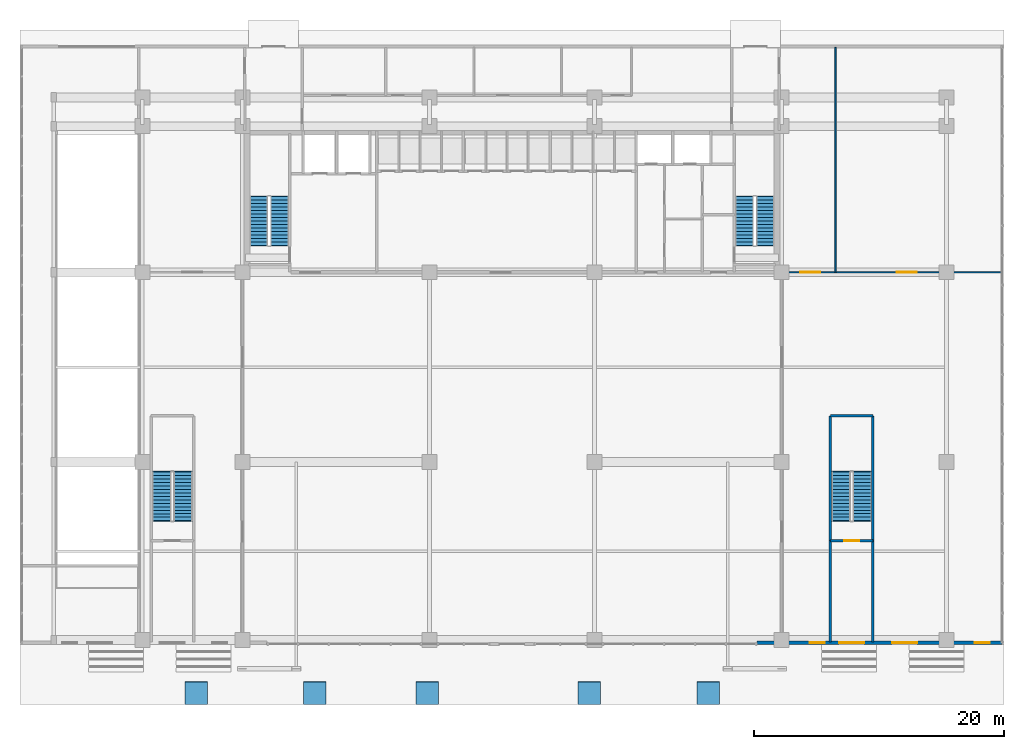
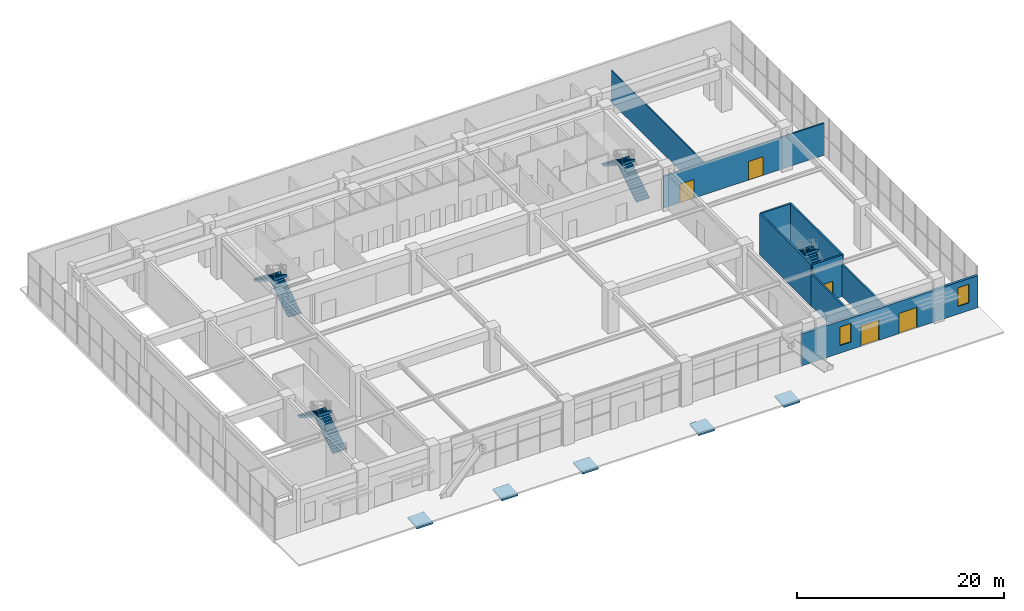
# One storey, part 36 of 40: 9 walls, 8 stair flights, 5 doors, 5 ramp flights, 2 windows, 7 openings, 9 elements without a shape of their own.
"""IFC4 building model written with IfcOpenShell, lengths in metres."""

from ifc_helpers import new_model, si_unit, direction, frame, frame_2d, origin, place, context, subcontext, project, spatial, polyline, rectangle, outline, extrude, source, transform, mapped, material, layer, layer_set, type_object, element, fill, aggregate, save


model = new_model("IFC4")

# Units and contexts
model_context = context("Model", 3, precision=1e-05, world=origin(), true_north=direction((0.0, 1.0)))
body_context = subcontext(model_context, "Body", "Model", "MODEL_VIEW")
ifc_project = project(units=[si_unit("LENGTHUNIT", "METRE"), si_unit("AREAUNIT", "SQUARE_METRE"), si_unit("VOLUMEUNIT", "CUBIC_METRE"), si_unit("PLANEANGLEUNIT", "RADIAN"), si_unit("MASSUNIT", "GRAM", prefix="KILO")], contexts=[model_context])

# Site, building, storey
site_placement = place(None, origin())
site = spatial("IfcSite", under=ifc_project, at=site_placement, CompositionType="ELEMENT")
building_placement = place(site_placement, origin())
building = spatial("IfcBuilding", under=site, at=building_placement, Name="Trelvane Seafront Commons", CompositionType="ELEMENT")
storey_placement = place(building_placement, origin())
storey = spatial("IfcBuildingStorey", under=building, at=storey_placement, Name="L00", CompositionType="ELEMENT", Elevation=0.0)

# Wall, openings, doors, windows
ifc_material_1 = material(Name="Precast concrete C40/50", Category="concrete")
ifc_layer_1 = layer(ifc_material_1, 0.260009765625, Name="ARCH-WALL-EXT260")
ifc_layer_set_1 = layer_set([ifc_layer_1], Name="Precast concrete C40/50")
wall_type_1 = type_object("IfcWallType", Name="ARCH-WALL-EXT260", PredefinedType="SOLIDWALL", material=ifc_layer_set_1)
wall_1_placement = place(storey_placement, frame((76.449951171875, 3.72998046875, 0.0), z_axis=(0.0, 0.0, 1.0), x_axis=(-1.0, 0.0, 0.0)))
wall_1 = element("IfcWall", 1, at=wall_1_placement, inside=storey, type_object=wall_type_1, Name="EW-L00-SE-003", PredefinedType="SOLIDWALL", context=body_context, shape_type="SweptSolid", body=[
    extrude(rectangle(XDim=19.64990234375, YDim=0.260009765625, at=frame_2d((9.824951171875, 0.0))), origin(), (0.0, 0.0, 1.0), 3.780029296875),
])
opening_1_placement = place(wall_1_placement, frame((6.800048828125, 0.0, 0.0)))
opening_1 = element("IfcOpeningElement", 2, at=opening_1_placement, cuts=wall_1, Name="Opening FD-EXS6", PredefinedType="OPENING", context=body_context, shape_type="SweptSolid", body=[
    extrude(rectangle(XDim=2.0, YDim=2.39990234375, at=frame_2d((1.0, 1.199951171875))), frame((0.0, 0.139892578125, 0.0), z_axis=(0.0, -1.0, 0.0), x_axis=(1.0, 0.0, 0.0)), (0.0, 0.0, 1.0), 0.280029296875),
])
opening_2_placement = place(wall_1_placement, frame((11.050048828125, 0.0, 0.0)))
opening_2 = element("IfcOpeningElement", 3, at=opening_2_placement, cuts=wall_1, Name="Opening FD-EXS7", PredefinedType="OPENING", context=body_context, shape_type="SweptSolid", body=[
    extrude(rectangle(XDim=2.0, YDim=2.39990234375, at=frame_2d((1.0, 1.199951171875))), frame((0.0, 0.139892578125, 0.0), z_axis=(0.0, -1.0, 0.0), x_axis=(1.0, 0.0, 0.0)), (0.0, 0.0, 1.0), 0.280029296875),
])
opening_3_placement = place(wall_1_placement, frame((1.0, 0.0, 0.89990234375)))
opening_3 = element("IfcOpeningElement", 4, at=opening_3_placement, cuts=wall_1, Name="Opening W05", PredefinedType="OPENING", context=body_context, shape_type="SweptSolid", body=[
    extrude(rectangle(XDim=1.199951171875, YDim=2.199951171875, at=frame_2d((0.60009765625, 1.10009765625))), frame((0.0, 0.139892578125, 0.0), z_axis=(0.0, -1.0, 0.0), x_axis=(1.0, 0.0, 0.0)), (0.0, 0.0, 1.0), 0.280029296875),
])
opening_4_placement = place(wall_1_placement, frame((14.199951171875, 0.0, 0.89990234375)))
opening_4 = element("IfcOpeningElement", 5, at=opening_4_placement, cuts=wall_1, Name="Opening W05", PredefinedType="OPENING", context=body_context, shape_type="SweptSolid", body=[
    extrude(rectangle(XDim=1.199951171875, YDim=2.199951171875, at=frame_2d((0.60009765625, 1.10009765625))), frame((0.0, 0.139892578125, 0.0), z_axis=(0.0, -1.0, 0.0), x_axis=(1.0, 0.0, 0.0)), (0.0, 0.0, 1.0), 0.280029296875),
])
ifc_material_2 = material(Name="Powder-coated aluminium frame", Category="aluminium")
door_type_1 = type_object("IfcDoorType", Name="ARCH-DR-EX2000", OperationType="DOUBLE_DOOR_SINGLE_SWING", PredefinedType="DOOR", material=ifc_material_2)
shared_shape_1 = source(origin(), body_context, "Body", "SweptSolid", [
    extrude(rectangle(XDim=2.0, YDim=2.39990234375, at=frame_2d((1.0, 1.199951171875))), frame((0.0, 0.02490234375, 0.0), z_axis=(0.0, -1.0, 0.0), x_axis=(1.0, 0.0, 0.0)), (0.0, 0.0, 1.0), 0.050048828125),
])
door_1_placement = place(opening_1_placement, origin())
door_1 = element("IfcDoor", 6, at=door_1_placement, inside=storey, type_object=door_type_1, Name="L00 Seafront Concourse Final Exit Door 6", OperationType="DOUBLE_DOOR_SINGLE_SWING", OverallHeight=2.39990234375, OverallWidth=2.0, PredefinedType="DOOR", context=body_context, shape_type="MappedRepresentation", body=[
    mapped(shared_shape_1, transform((0.0, 0.0, 0.0), x_axis=(1.0, 0.0, 0.0), y_axis=(0.0, 1.0, 0.0), z_axis=(0.0, 0.0, 1.0), scale=1.0)),
])
fill(opening_1, door_1)
door_2_placement = place(opening_2_placement, origin())
door_2 = element("IfcDoor", 7, at=door_2_placement, inside=storey, type_object=door_type_1, Name="L00 Seafront Concourse Final Exit Door 7", OperationType="DOUBLE_DOOR_SINGLE_SWING", OverallHeight=2.39990234375, OverallWidth=2.0, PredefinedType="DOOR", context=body_context, shape_type="MappedRepresentation", body=[
    mapped(shared_shape_1, transform((0.0, 0.0, 0.0), x_axis=(1.0, 0.0, 0.0), y_axis=(0.0, 1.0, 0.0), z_axis=(0.0, 0.0, 1.0), scale=1.0)),
])
fill(opening_2, door_2)
ifc_material_3 = material(Name="Low-E coastal double glazing", Category="glass")
window_type = type_object("IfcWindowType", Name="ARCH-WIN-W05", PartitioningType="SINGLE_PANEL", PredefinedType="WINDOW", material=ifc_material_3)
shared_shape_2 = source(origin(), body_context, "Body", "SweptSolid", [
    extrude(rectangle(XDim=1.199951171875, YDim=2.199951171875, at=frame_2d((0.60009765625, 1.10009765625))), frame((0.0, 0.030029296875, 0.0), z_axis=(0.0, -1.0, 0.0), x_axis=(1.0, 0.0, 0.0)), (0.0, 0.0, 1.0), 0.06005859375),
])
window_1_placement = place(opening_3_placement, origin())
window_1 = element("IfcWindow", 8, at=window_1_placement, inside=storey, type_object=window_type, Name="WIN-L00-S-0003", OverallHeight=2.199951171875, OverallWidth=1.199951171875, PartitioningType="SINGLE_PANEL", PredefinedType="WINDOW", context=body_context, shape_type="MappedRepresentation", body=[
    mapped(shared_shape_2, transform((0.0, 0.0, 0.0), x_axis=(1.0, 0.0, 0.0), y_axis=(0.0, 1.0, 0.0), z_axis=(0.0, 0.0, 1.0), scale=1.0)),
])
fill(opening_3, window_1)
window_2_placement = place(opening_4_placement, origin())
window_2 = element("IfcWindow", 9, at=window_2_placement, inside=storey, type_object=window_type, Name="WIN-L00-S-0004", OverallHeight=2.199951171875, OverallWidth=1.199951171875, PartitioningType="SINGLE_PANEL", PredefinedType="WINDOW", context=body_context, shape_type="MappedRepresentation", body=[
    mapped(shared_shape_2, transform((0.0, 0.0, 0.0), x_axis=(1.0, 0.0, 0.0), y_axis=(0.0, 1.0, 0.0), z_axis=(0.0, 0.0, 1.0), scale=1.0)),
])
fill(opening_4, window_2)

# Walls
ifc_material_4 = material(Name="Concrete C40/50", Category="concrete")
ifc_layer_2 = layer(ifc_material_4, 0.199951171875, Name="ARCH-WALL-FIRE200")
ifc_layer_set_2 = layer_set([ifc_layer_2], Name="Concrete C40/50")
wall_type_2 = type_object("IfcWallType", Name="ARCH-WALL-FIRE200", PredefinedType="PARTITIONING", material=ifc_layer_set_2)
for number, where, z_axis, x_axis, name in (
    (10, (62.699951171875, 3.780029296875, 0.0), (0.0, 0.0, 1.0), (0.0, 1.0, 0.0), "W-L00-EPSE-W-063"),
    (11, (66.10009765625, 3.780029296875, 0.0), (0.0, 0.0, 1.0), (0.0, 1.0, 0.0), "W-L00-EPSE-E-064"),
):
    element("IfcWall", number, at=place(storey_placement, frame(where, z_axis=z_axis, x_axis=x_axis)), inside=storey, type_object=wall_type_2, Name=name, PredefinedType="PARTITIONING", context=body_context, shape_type="SweptSolid", body=[
        extrude(rectangle(XDim=8.119873046875, YDim=0.199951171875, at=frame_2d((4.06005859375, 0.0))), origin(), (0.0, 0.0, 1.0), 3.780029296875),
    ])
ifc_material_5 = material(Name="Gypsum Drywall Acoustic Partition")
ifc_layer_3 = layer(ifc_material_5, 0.1201171875, Name="ARCH-WALL-PART120")
ifc_layer_set_3 = layer_set([ifc_layer_3], Name="Gypsum Drywall Acoustic Partition")
wall_type_3 = type_object("IfcWallType", Name="ARCH-WALL-PART120", PredefinedType="PARTITIONING", material=ifc_layer_set_3)
wall_2_placement = place(storey_placement, frame((63.10009765625, 33.39990234375, 0.0), z_axis=(0.0, 0.0, 1.0), x_axis=(0.0, 1.0, 0.0)))
element("IfcWall", 12, at=wall_2_placement, inside=storey, type_object=wall_type_3, Name="W-L00-NH-E-060", PredefinedType="PARTITIONING", context=body_context, shape_type="SweptSolid", body=[
    extrude(rectangle(XDim=18.0, YDim=0.1201171875, at=frame_2d((9.0, 0.0))), origin(), (0.0, 0.0, 1.0), 3.780029296875),
])

# Wall, openings, doors
ifc_layer_4 = layer(ifc_material_5, 0.14990234375, Name="ARCH-WALL-PART150")
ifc_layer_set_4 = layer_set([ifc_layer_4], Name="Gypsum Drywall Acoustic Partition")
wall_type_4 = type_object("IfcWallType", Name="ARCH-WALL-PART150", PredefinedType="PARTITIONING", material=ifc_layer_set_4)
wall_3_placement = place(storey_placement, frame((58.5, 33.39990234375, 0.0), z_axis=(0.0, 0.0, 1.0), x_axis=(1.0, 0.0, 0.0)))
wall_3 = element("IfcWall", 13, at=wall_3_placement, inside=storey, type_object=wall_type_4, Name="W-L00-NH-S-059", PredefinedType="PARTITIONING", context=body_context, shape_type="SweptSolid", body=[
    extrude(rectangle(XDim=17.949951171875, YDim=0.14990234375, at=frame_2d((8.97509765625, 0.0))), origin(), (0.0, 0.0, 1.0), 3.780029296875),
])
opening_5_placement = place(wall_3_placement, frame((1.800048828125, 0.0, 0.0)))
opening_5 = element("IfcOpeningElement", 14, at=opening_5_placement, cuts=wall_3, Name="Opening D-L00-37", PredefinedType="OPENING", context=body_context, shape_type="SweptSolid", body=[
    extrude(rectangle(XDim=1.60009765625, YDim=2.199951171875, at=frame_2d((0.800048828125, 1.10009765625))), frame((0.0, 0.0849609375, 0.0), z_axis=(0.0, -1.0, 0.0), x_axis=(1.0, 0.0, 0.0)), (0.0, 0.0, 1.0), 0.169921875),
])
opening_6_placement = place(wall_3_placement, frame((9.5, 0.0, 0.0)))
opening_6 = element("IfcOpeningElement", 15, at=opening_6_placement, cuts=wall_3, Name="Opening D-L00-38", PredefinedType="OPENING", context=body_context, shape_type="SweptSolid", body=[
    extrude(rectangle(XDim=1.60009765625, YDim=2.199951171875, at=frame_2d((0.800048828125, 1.10009765625))), frame((0.0, 0.0849609375, 0.0), z_axis=(0.0, -1.0, 0.0), x_axis=(1.0, 0.0, 0.0)), (0.0, 0.0, 1.0), 0.169921875),
])
ifc_material_6 = material(Name="Acoustic timber door leaf", Category="wood")
door_type_2 = type_object("IfcDoorType", Name="ARCH-DR-GLZ1600", OperationType="DOUBLE_DOOR_SINGLE_SWING", PredefinedType="DOOR", material=ifc_material_6)
shared_shape_3 = source(origin(), body_context, "Body", "SweptSolid", [
    extrude(rectangle(XDim=1.60009765625, YDim=2.199951171875, at=frame_2d((0.800048828125, 1.10009765625))), frame((0.0, 0.02490234375, 0.0), z_axis=(0.0, -1.0, 0.0), x_axis=(1.0, 0.0, 0.0)), (0.0, 0.0, 1.0), 0.050048828125),
])
door_3_placement = place(opening_5_placement, origin())
door_3 = element("IfcDoor", 16, at=door_3_placement, inside=storey, type_object=door_type_2, Name="L00 Door 37", OperationType="DOUBLE_DOOR_SINGLE_SWING", OverallHeight=2.199951171875, OverallWidth=1.60009765625, PredefinedType="DOOR", context=body_context, shape_type="MappedRepresentation", body=[
    mapped(shared_shape_3, transform((0.0, 0.0, 0.0), x_axis=(1.0, 0.0, 0.0), y_axis=(0.0, 1.0, 0.0), z_axis=(0.0, 0.0, 1.0), scale=1.0)),
])
fill(opening_5, door_3)
door_4_placement = place(opening_6_placement, origin())
door_4 = element("IfcDoor", 17, at=door_4_placement, inside=storey, type_object=door_type_2, Name="L00 Door 38", OperationType="DOUBLE_DOOR_SINGLE_SWING", OverallHeight=2.199951171875, OverallWidth=1.60009765625, PredefinedType="DOOR", context=body_context, shape_type="MappedRepresentation", body=[
    mapped(shared_shape_3, transform((0.0, 0.0, 0.0), x_axis=(1.0, 0.0, 0.0), y_axis=(0.0, 1.0, 0.0), z_axis=(0.0, 0.0, 1.0), scale=1.0)),
])
fill(opening_6, door_4)

# Walls
ifc_material_7 = material(Name="Concrete C50/60", Category="concrete")
ifc_layer_5 = layer(ifc_material_7, 0.199951171875, Name="STR-WALL-STAIR200")
ifc_layer_set_5 = layer_set([ifc_layer_5], Name="Concrete C50/60")
wall_type_5 = type_object("IfcWallType", Name="STR-WALL-STAIR200", PredefinedType="SHEAR", material=ifc_layer_set_5)
for number, where, z_axis, x_axis, name in (
    (18, (62.699951171875, 11.89990234375, 0.0), (0.0, 0.0, 1.0), (0.0, 1.0, 0.0), "W-L00-ST4-W-012"),
    (19, (66.10009765625, 11.89990234375, 0.0), (0.0, 0.0, 1.0), (0.0, 1.0, 0.0), "W-L00-ST4-E-013"),
):
    element("IfcWall", number, at=place(storey_placement, frame(where, z_axis=z_axis, x_axis=x_axis)), inside=storey, type_object=wall_type_5, Name=name, PredefinedType="SHEAR", context=body_context, shape_type="SweptSolid", body=[
        extrude(rectangle(XDim=10.0, YDim=0.199951171875, at=frame_2d((5.0, 0.0))), origin(), (0.0, 0.0, 1.0), 4.8798828125),
    ])

# Wall, opening, door
wall_4_placement = place(storey_placement, frame((62.699951171875, 11.89990234375, 0.0), z_axis=(0.0, 0.0, 1.0), x_axis=(1.0, 0.0, 0.0)))
wall_4 = element("IfcWall", 20, at=wall_4_placement, inside=storey, type_object=wall_type_5, Name="W-L00-ST4-S-014", PredefinedType="SHEAR", context=body_context, shape_type="SweptSolid", body=[
    extrude(rectangle(XDim=3.400146484375, YDim=0.199951171875, at=frame_2d((1.7001953125, 0.0))), origin(), (0.0, 0.0, 1.0), 4.8798828125),
])
opening_7_placement = place(wall_4_placement, frame((1.10009765625, 0.0, 0.0)))
opening_7 = element("IfcOpeningElement", 21, at=opening_7_placement, cuts=wall_4, Name="Opening ST-D-ST4-L00", PredefinedType="OPENING", context=body_context, shape_type="SweptSolid", body=[
    extrude(rectangle(XDim=1.199951171875, YDim=2.14990234375, at=frame_2d((0.60009765625, 1.074951171875))), frame((0.0, 0.10986328125, 0.0), z_axis=(0.0, -1.0, 0.0), x_axis=(1.0, 0.0, 0.0)), (0.0, 0.0, 1.0), 0.219970703125),
])
door_type_3 = type_object("IfcDoorType", Name="ARCH-DR-FD90-1200", OperationType="NOTDEFINED", PredefinedType="DOOR", material=ifc_material_2)
shared_shape_4 = source(origin(), body_context, "Body", "SweptSolid", [
    extrude(rectangle(XDim=1.199951171875, YDim=2.14990234375, at=frame_2d((0.60009765625, 1.074951171875))), frame((0.0, 0.02490234375, 0.0), z_axis=(0.0, -1.0, 0.0), x_axis=(1.0, 0.0, 0.0)), (0.0, 0.0, 1.0), 0.050048828125),
])
door_5_placement = place(opening_7_placement, origin())
door_5 = element("IfcDoor", 22, at=door_5_placement, inside=storey, type_object=door_type_3, Name="L00 Podium ST4 Fire Door", OperationType="SINGLE_SWING_RIGHT", OverallHeight=2.14990234375, OverallWidth=1.199951171875, PredefinedType="DOOR", context=body_context, shape_type="MappedRepresentation", body=[
    mapped(shared_shape_4, transform((0.0, 0.0, 0.0), x_axis=(1.0, 0.0, 0.0), y_axis=(0.0, 1.0, 0.0), z_axis=(0.0, 0.0, 1.0), scale=1.0)),
])
fill(opening_7, door_5)

# Wall
wall_5_placement = place(storey_placement, frame((62.699951171875, 21.89990234375, 0.0), z_axis=(0.0, 0.0, 1.0), x_axis=(1.0, 0.0, 0.0)))
element("IfcWall", 23, at=wall_5_placement, inside=storey, type_object=wall_type_5, Name="W-L00-ST4-N-015", PredefinedType="SHEAR", context=body_context, shape_type="SweptSolid", body=[
    extrude(rectangle(XDim=3.400146484375, YDim=0.199951171875, at=frame_2d((1.7001953125, 0.0))), origin(), (0.0, 0.0, 1.0), 4.8798828125),
])

# Stair, stair flights
stair_type_1 = type_object("IfcStairType", Name="ARCH-STR-ST-1-R30-173", PredefinedType="HALF_TURN_STAIR", material=ifc_material_4)
stair_1_placement = place(storey_placement, origin())
stair_1 = element("IfcStair", 24, at=stair_1_placement, inside=storey, type_object=stair_type_1, Name="L00 West Protected Firefighting Exit Stair ST-1", PredefinedType="HALF_TURN_STAIR")
stair_flight_type_1 = type_object("IfcStairFlightType", Name="ARCH-FLG-ST-1-R30-173", PredefinedType="STRAIGHT", material=ifc_material_4)
shared_shape_5 = source(origin(), body_context, "Body", "SweptSolid", [
    extrude(outline(polyline([(-0.050048828125, -0.02001953125), (-0.050048828125, 0.0), (0.0, 0.0), (0.0, 0.17333984375), (0.280029296875, 0.17333984375), (0.280029296875, 0.3466796875), (0.56005859375, 0.3466796875), (0.56005859375, 0.52001953125), (0.840087890625, 0.52001953125), (0.840087890625, 0.693359375), (1.1201171875, 0.693359375), (1.1201171875, 0.86669921875), (1.39990234375, 0.86669921875), (1.39990234375, 1.0400390625), (1.679931640625, 1.0400390625), (1.679931640625, 1.21337890625), (1.9599609375, 1.21337890625), (1.9599609375, 1.38671875), (2.239990234375, 1.38671875), (2.239990234375, 1.56005859375), (2.52001953125, 1.56005859375), (2.52001953125, 1.7333984375), (2.800048828125, 1.7333984375), (2.800048828125, 1.90673828125), (3.080078125, 1.90673828125), (3.080078125, 2.080078125), (3.360107421875, 2.080078125), (3.360107421875, 2.25341796875), (3.639892578125, 2.25341796875), (3.639892578125, 2.4267578125), (3.919921875, 2.4267578125), (3.919921875, 2.60009765625), (3.969970703125, 2.60009765625), (3.969970703125, 2.4501953125), (3.919921875, 2.250244140625), (0.284912109375, -0.02001953125), (-0.050048828125, -0.02001953125)])), frame((0.0, 0.72509765625, 0.0), z_axis=(0.0, -1.0, 0.0), x_axis=(1.0, 0.0, 0.0)), (0.0, 0.0, 1.0), 1.449951171875),
])
stair_flight_1_placement = place(storey_placement, frame((18.574951171875, 35.550048828125, 0.0), z_axis=(0.0, 0.0, 1.0), x_axis=(0.0, 1.0, 0.0)))
stair_flight_1 = element("IfcStairFlight", 25, at=stair_flight_1_placement, type_object=stair_flight_type_1, Name="ST-1 flight 1", NumberOfRisers=15, NumberOfTreads=14, PredefinedType="STRAIGHT", RiserHeight=0.173333333, TreadLength=0.28, context=body_context, shape_type="MappedRepresentation", body=[
    mapped(shared_shape_5, transform((0.0, 0.0, 0.0), x_axis=(1.0, 0.0, 0.0), y_axis=(0.0, 1.0, 0.0), z_axis=(0.0, 0.0, 1.0), scale=1.0)),
])
stair_flight_2_placement = place(storey_placement, frame((16.925048828125, 39.469970703125, 2.60009765625), z_axis=(0.0, 0.0, 1.0), x_axis=(0.0, -1.0, 0.0)))
stair_flight_2 = element("IfcStairFlight", 26, at=stair_flight_2_placement, type_object=stair_flight_type_1, Name="ST-1 flight 2", NumberOfRisers=15, NumberOfTreads=14, PredefinedType="STRAIGHT", RiserHeight=0.173333333, TreadLength=0.28, context=body_context, shape_type="MappedRepresentation", body=[
    mapped(shared_shape_5, transform((0.0, 0.0, 0.0), x_axis=(1.0, 0.0, 0.0), y_axis=(0.0, 1.0, 0.0), z_axis=(0.0, 0.0, 1.0), scale=1.0)),
])
aggregate(stair_1, [stair_flight_1, stair_flight_2])

stair_type_2 = type_object("IfcStairType", Name="ARCH-STR-ST-2-R30-173", PredefinedType="HALF_TURN_STAIR", material=ifc_material_4)
stair_2_placement = place(storey_placement, origin())
stair_2 = element("IfcStair", 27, at=stair_2_placement, inside=storey, type_object=stair_type_2, Name="L00 East Protected Firefighting Exit Stair ST-2", PredefinedType="HALF_TURN_STAIR")
stair_flight_type_2 = type_object("IfcStairFlightType", Name="ARCH-FLG-ST-2-R30-173", PredefinedType="STRAIGHT", material=ifc_material_4)
stair_flight_3_placement = place(storey_placement, frame((57.47509765625, 35.550048828125, 0.0), z_axis=(0.0, 0.0, 1.0), x_axis=(0.0, 1.0, 0.0)))
stair_flight_3 = element("IfcStairFlight", 28, at=stair_flight_3_placement, type_object=stair_flight_type_2, Name="ST-2 flight 1", NumberOfRisers=15, NumberOfTreads=14, PredefinedType="STRAIGHT", RiserHeight=0.173333333, TreadLength=0.28, context=body_context, shape_type="MappedRepresentation", body=[
    mapped(shared_shape_5, transform((0.0, 0.0, 0.0), x_axis=(1.0, 0.0, 0.0), y_axis=(0.0, 1.0, 0.0), z_axis=(0.0, 0.0, 1.0), scale=1.0)),
])
stair_flight_4_placement = place(storey_placement, frame((55.824951171875, 39.469970703125, 2.60009765625), z_axis=(0.0, 0.0, 1.0), x_axis=(0.0, -1.0, 0.0)))
stair_flight_4 = element("IfcStairFlight", 29, at=stair_flight_4_placement, type_object=stair_flight_type_2, Name="ST-2 flight 2", NumberOfRisers=15, NumberOfTreads=14, PredefinedType="STRAIGHT", RiserHeight=0.173333333, TreadLength=0.28, context=body_context, shape_type="MappedRepresentation", body=[
    mapped(shared_shape_5, transform((0.0, 0.0, 0.0), x_axis=(1.0, 0.0, 0.0), y_axis=(0.0, 1.0, 0.0), z_axis=(0.0, 0.0, 1.0), scale=1.0)),
])
aggregate(stair_2, [stair_flight_3, stair_flight_4])

stair_type_3 = type_object("IfcStairType", Name="ARCH-STR-ST-3-R30-173", PredefinedType="HALF_TURN_STAIR", material=ifc_material_4)
stair_3_placement = place(storey_placement, origin())
stair_3 = element("IfcStair", 30, at=stair_3_placement, inside=storey, type_object=stair_type_3, Name="L00 Podium Commons West Promenade Stair ST-3", PredefinedType="HALF_TURN_STAIR")
stair_flight_type_3 = type_object("IfcStairFlightType", Name="ARCH-FLG-ST-3-R30-173", PredefinedType="STRAIGHT", material=ifc_material_4)
shared_shape_6 = source(origin(), body_context, "Body", "SweptSolid", [
    extrude(outline(polyline([(-0.050048828125, -0.02001953125), (-0.050048828125, 0.0), (0.0, 0.0), (0.0, 0.17333984375), (0.280029296875, 0.17333984375), (0.280029296875, 0.3466796875), (0.56005859375, 0.3466796875), (0.56005859375, 0.52001953125), (0.840087890625, 0.52001953125), (0.840087890625, 0.693359375), (1.1201171875, 0.693359375), (1.1201171875, 0.86669921875), (1.39990234375, 0.86669921875), (1.39990234375, 1.0400390625), (1.679931640625, 1.0400390625), (1.679931640625, 1.21337890625), (1.9599609375, 1.21337890625), (1.9599609375, 1.38671875), (2.239990234375, 1.38671875), (2.239990234375, 1.56005859375), (2.52001953125, 1.56005859375), (2.52001953125, 1.7333984375), (2.800048828125, 1.7333984375), (2.800048828125, 1.90673828125), (3.080078125, 1.90673828125), (3.080078125, 2.080078125), (3.360107421875, 2.080078125), (3.360107421875, 2.25341796875), (3.639892578125, 2.25341796875), (3.639892578125, 2.4267578125), (3.919921875, 2.4267578125), (3.919921875, 2.60009765625), (3.969970703125, 2.60009765625), (3.969970703125, 2.4501953125), (3.919921875, 2.250244140625), (0.284912109375, -0.02001953125), (-0.050048828125, -0.02001953125)])), frame((0.0, 0.75, 0.0), z_axis=(0.0, -1.0, 0.0), x_axis=(1.0, 0.0, 0.0)), (0.0, 0.0, 1.0), 1.5),
])
stair_flight_5_placement = place(storey_placement, frame((10.85009765625, 13.5, 0.0), z_axis=(0.0, 0.0, 1.0), x_axis=(0.0, 1.0, 0.0)))
stair_flight_5 = element("IfcStairFlight", 31, at=stair_flight_5_placement, type_object=stair_flight_type_3, Name="ST-3 flight 1", NumberOfRisers=15, NumberOfTreads=14, PredefinedType="STRAIGHT", RiserHeight=0.173333333, TreadLength=0.28, context=body_context, shape_type="MappedRepresentation", body=[
    mapped(shared_shape_6, transform((0.0, 0.0, 0.0), x_axis=(1.0, 0.0, 0.0), y_axis=(0.0, 1.0, 0.0), z_axis=(0.0, 0.0, 1.0), scale=1.0)),
])
stair_flight_6_placement = place(storey_placement, frame((9.14990234375, 17.419921875, 2.60009765625), z_axis=(0.0, 0.0, 1.0), x_axis=(0.0, -1.0, 0.0)))
stair_flight_6 = element("IfcStairFlight", 32, at=stair_flight_6_placement, type_object=stair_flight_type_3, Name="ST-3 flight 2", NumberOfRisers=15, NumberOfTreads=14, PredefinedType="STRAIGHT", RiserHeight=0.173333333, TreadLength=0.28, context=body_context, shape_type="MappedRepresentation", body=[
    mapped(shared_shape_6, transform((0.0, 0.0, 0.0), x_axis=(1.0, 0.0, 0.0), y_axis=(0.0, 1.0, 0.0), z_axis=(0.0, 0.0, 1.0), scale=1.0)),
])
aggregate(stair_3, [stair_flight_5, stair_flight_6])

stair_type_4 = type_object("IfcStairType", Name="ARCH-STR-ST-4-R30-173", PredefinedType="HALF_TURN_STAIR", material=ifc_material_4)
stair_4_placement = place(storey_placement, origin())
stair_4 = element("IfcStair", 33, at=stair_4_placement, inside=storey, type_object=stair_type_4, Name="L00 Podium Commons East Promenade Stair ST-4", PredefinedType="HALF_TURN_STAIR")
stair_flight_type_4 = type_object("IfcStairFlightType", Name="ARCH-FLG-ST-4-R30-173", PredefinedType="STRAIGHT", material=ifc_material_4)
stair_flight_7_placement = place(storey_placement, frame((65.25, 13.5, 0.0), z_axis=(0.0, 0.0, 1.0), x_axis=(0.0, 1.0, 0.0)))
stair_flight_7 = element("IfcStairFlight", 34, at=stair_flight_7_placement, type_object=stair_flight_type_4, Name="ST-4 flight 1", NumberOfRisers=15, NumberOfTreads=14, PredefinedType="STRAIGHT", RiserHeight=0.173333333, TreadLength=0.28, context=body_context, shape_type="MappedRepresentation", body=[
    mapped(shared_shape_6, transform((0.0, 0.0, 0.0), x_axis=(1.0, 0.0, 0.0), y_axis=(0.0, 1.0, 0.0), z_axis=(0.0, 0.0, 1.0), scale=1.0)),
])
stair_flight_8_placement = place(storey_placement, frame((63.550048828125, 17.419921875, 2.60009765625), z_axis=(0.0, 0.0, 1.0), x_axis=(0.0, -1.0, 0.0)))
stair_flight_8 = element("IfcStairFlight", 35, at=stair_flight_8_placement, type_object=stair_flight_type_4, Name="ST-4 flight 2", NumberOfRisers=15, NumberOfTreads=14, PredefinedType="STRAIGHT", RiserHeight=0.173333333, TreadLength=0.28, context=body_context, shape_type="MappedRepresentation", body=[
    mapped(shared_shape_6, transform((0.0, 0.0, 0.0), x_axis=(1.0, 0.0, 0.0), y_axis=(0.0, 1.0, 0.0), z_axis=(0.0, 0.0, 1.0), scale=1.0)),
])
aggregate(stair_4, [stair_flight_7, stair_flight_8])

# Ramp, ramp flight
ramp_type = type_object("IfcRampType", Name="ARCH-RAMP-ACC", PredefinedType="STRAIGHT_RUN_RAMP", material=ifc_material_4)
ramp_1_placement = place(storey_placement, origin())
ramp_1 = element("IfcRamp", 36, at=ramp_1_placement, inside=storey, type_object=ramp_type, Name="Ground Seafront Step-Free Entrance Ramp AR-1", PredefinedType="STRAIGHT_RUN_RAMP")
ifc_layer_6 = layer(ifc_material_4, 0.219970703125, Name="ARCH-RFL-ACC")
ifc_layer_set_6 = layer_set([ifc_layer_6], Name="Concrete C40/50")
ramp_flight_type = type_object("IfcRampFlightType", Name="ARCH-RFL-ACC", PredefinedType="STRAIGHT", material=ifc_layer_set_6)
ramp_flight_1_placement = place(storey_placement, frame((11.0, -1.199951171875, -0.14990234375), z_axis=(0.0, -0.082989550564, 0.996550417439), x_axis=(1.0, 0.0, 0.0)))
ramp_flight_1 = element("IfcRampFlight", 37, at=ramp_flight_1_placement, type_object=ramp_flight_type, Name="Step-Free Entrance Ramp AR-1 Flight", PredefinedType="STRAIGHT", context=body_context, shape_type="SweptSolid", body=[
    extrude(outline(polyline([(0.0, 0.0), (1.800048828125, 0.0), (1.800048828125, 1.8062797392142582), (0.0, 1.8062797392142582), (0.0, 0.0)])), origin(), (0.0, 0.0, -1.0), 0.219970703125),
])
aggregate(ramp_1, [ramp_flight_1])

ramp_2_placement = place(storey_placement, origin())
ramp_2 = element("IfcRamp", 38, at=ramp_2_placement, inside=storey, type_object=ramp_type, Name="Ground Seafront Step-Free Entrance Ramp AR-2", PredefinedType="STRAIGHT_RUN_RAMP")
ramp_flight_2_placement = place(storey_placement, frame((20.5, -1.199951171875, -0.14990234375), z_axis=(0.0, -0.082989550564, 0.996550417439), x_axis=(1.0, 0.0, 0.0)))
ramp_flight_2 = element("IfcRampFlight", 39, at=ramp_flight_2_placement, type_object=ramp_flight_type, Name="Step-Free Entrance Ramp AR-2 Flight", PredefinedType="STRAIGHT", context=body_context, shape_type="SweptSolid", body=[
    extrude(outline(polyline([(0.0, 0.0), (1.800048828125, 0.0), (1.800048828125, 1.8062797392142582), (0.0, 1.8062797392142582), (0.0, 0.0)])), origin(), (0.0, 0.0, -1.0), 0.219970703125),
])
aggregate(ramp_2, [ramp_flight_2])

ramp_3_placement = place(storey_placement, origin())
ramp_3 = element("IfcRamp", 40, at=ramp_3_placement, inside=storey, type_object=ramp_type, Name="Ground Seafront Step-Free Entrance Ramp AR-3", PredefinedType="STRAIGHT_RUN_RAMP")
ramp_flight_3_placement = place(storey_placement, frame((29.5, -1.199951171875, -0.14990234375), z_axis=(0.0, -0.082989550564, 0.996550417439), x_axis=(1.0, 0.0, 0.0)))
ramp_flight_3 = element("IfcRampFlight", 41, at=ramp_flight_3_placement, type_object=ramp_flight_type, Name="Step-Free Entrance Ramp AR-3 Flight", PredefinedType="STRAIGHT", context=body_context, shape_type="SweptSolid", body=[
    extrude(outline(polyline([(0.0, 0.0), (1.800048828125, 0.0), (1.800048828125, 1.8062797392142582), (0.0, 1.8062797392142582), (0.0, 0.0)])), origin(), (0.0, 0.0, -1.0), 0.219970703125),
])
aggregate(ramp_3, [ramp_flight_3])

ramp_4_placement = place(storey_placement, origin())
ramp_4 = element("IfcRamp", 42, at=ramp_4_placement, inside=storey, type_object=ramp_type, Name="Ground Seafront Step-Free Entrance Ramp AR-4", PredefinedType="STRAIGHT_RUN_RAMP")
ramp_flight_4_placement = place(storey_placement, frame((42.5, -1.199951171875, -0.14990234375), z_axis=(0.0, -0.082989550564, 0.996550417439), x_axis=(1.0, 0.0, 0.0)))
ramp_flight_4 = element("IfcRampFlight", 43, at=ramp_flight_4_placement, type_object=ramp_flight_type, Name="Step-Free Entrance Ramp AR-4 Flight", PredefinedType="STRAIGHT", context=body_context, shape_type="SweptSolid", body=[
    extrude(outline(polyline([(0.0, 0.0), (1.800048828125, 0.0), (1.800048828125, 1.8062797392142582), (0.0, 1.8062797392142582), (0.0, 0.0)])), origin(), (0.0, 0.0, -1.0), 0.219970703125),
])
aggregate(ramp_4, [ramp_flight_4])

ramp_5_placement = place(storey_placement, origin())
ramp_5 = element("IfcRamp", 44, at=ramp_5_placement, inside=storey, type_object=ramp_type, Name="Ground Seafront Step-Free Entrance Ramp AR-5", PredefinedType="STRAIGHT_RUN_RAMP")
ramp_flight_5_placement = place(storey_placement, frame((52.0, -1.199951171875, -0.14990234375), z_axis=(0.0, -0.082989550564, 0.996550417439), x_axis=(1.0, 0.0, 0.0)))
ramp_flight_5 = element("IfcRampFlight", 45, at=ramp_flight_5_placement, type_object=ramp_flight_type, Name="Step-Free Entrance Ramp AR-5 Flight", PredefinedType="STRAIGHT", context=body_context, shape_type="SweptSolid", body=[
    extrude(outline(polyline([(0.0, 0.0), (1.800048828125, 0.0), (1.800048828125, 1.8062797392142582), (0.0, 1.8062797392142582), (0.0, 0.0)])), origin(), (0.0, 0.0, -1.0), 0.219970703125),
])
aggregate(ramp_5, [ramp_flight_5])

save(model, "model.ifc")
